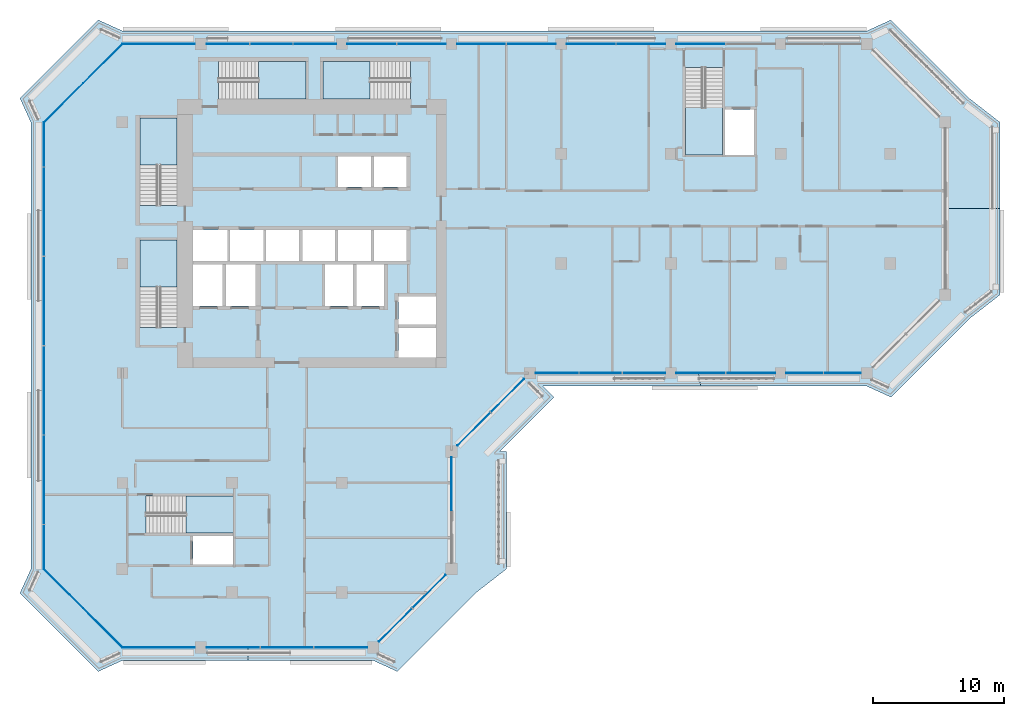
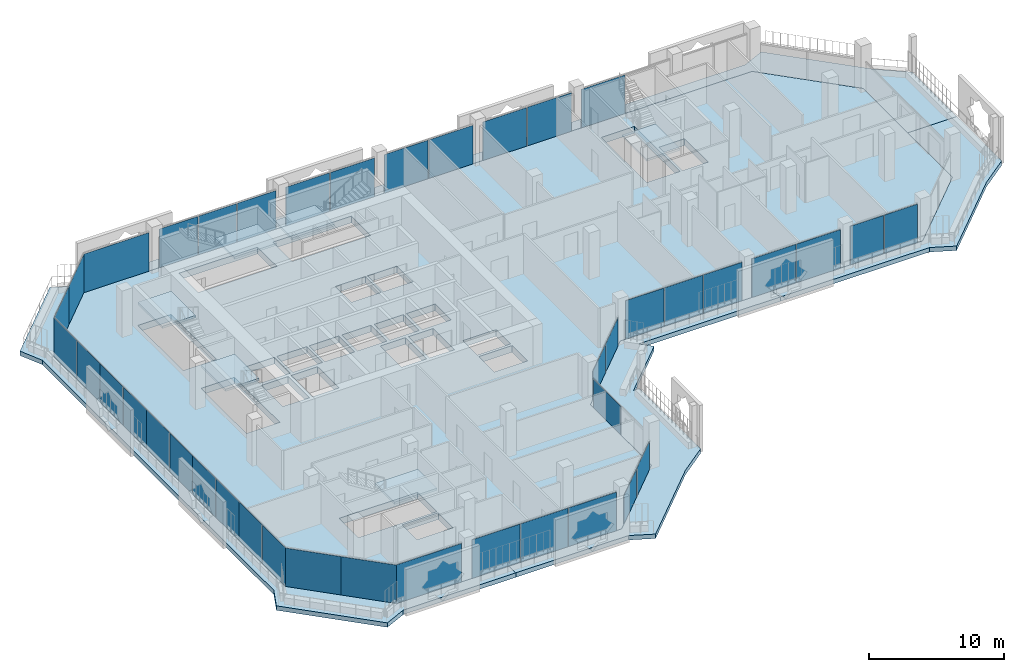
# One storey, part 8 of 22: 41 plates, 10 slabs, 15 elements without a shape of their own.
"""IFC4 building model written with IfcOpenShell, lengths in metres."""

from ifc_helpers import new_model, si_unit, direction, frame, origin, origin_2d, place, context, subcontext, project, spatial, polyline, rectangle, outline, extrude, material, layer, layer_set, type_object, element, aggregate, save


model = new_model("IFC4")

# Units and contexts
model_context = context("Model", 3, precision=1e-05, world=origin(), true_north=direction((0.0, 1.0)))
body_context = subcontext(model_context, "Body", "Model", "MODEL_VIEW")
ifc_project = project(units=[si_unit("LENGTHUNIT", "METRE"), si_unit("AREAUNIT", "SQUARE_METRE"), si_unit("VOLUMEUNIT", "CUBIC_METRE"), si_unit("PLANEANGLEUNIT", "RADIAN"), si_unit("MASSUNIT", "GRAM", prefix="KILO")], contexts=[model_context])

# Site, building, storey
site_placement = place(None, origin())
site = spatial("IfcSite", under=ifc_project, at=site_placement, CompositionType="ELEMENT")
building_placement = place(site_placement, origin())
building = spatial("IfcBuilding", under=site, at=building_placement, Name="Kawkab Arch Medical Tower", CompositionType="ELEMENT")
storey_placement = place(building_placement, frame((0.0, 0.0, 255.800048828125)))
storey = spatial("IfcBuildingStorey", under=building, at=storey_placement, Name="L59", CompositionType="ELEMENT", Elevation=255.800048828125)

# Curtain wall, plates
ifc_material_1 = material(Name="Bronze anodised aluminium curtain wall frame", Category="aluminium")
ifc_layer_1 = layer(ifc_material_1, 0.159912109375)
ifc_layer_set_1 = layer_set([ifc_layer_1], Name="Bronze anodised aluminium curtain wall frame")
curtain_wall_type_1 = type_object("IfcCurtainWallType", Name="CW1 ward curtain wall", PredefinedType="NOTDEFINED", material=ifc_layer_set_1)
placement_1 = place(storey_placement, origin())
curtain_wall_1 = element("IfcCurtainWall", 1, at=placement_1, inside=storey, type_object=curtain_wall_type_1, Name="CW1 Ward curtain wall R01", PredefinedType="NOTDEFINED")
ifc_material_2 = material(Name="Tinted insulating glass, bronze low-e coating", Category="glass")
ifc_layer_2 = layer(ifc_material_2, 0.031982421875)
ifc_layer_set_2 = layer_set([ifc_layer_2], Name="Tinted insulating glass, bronze low-e coating")
plate_type_1 = type_object("IfcPlateType", Name="CW1 glazing unit 32", PredefinedType="CURTAIN_PANEL", material=ifc_layer_set_2)
plate_1_placement = place(storey_placement, frame((-6.0, -7.695068359375, 0.0), z_axis=(0.0, 0.0, 1.0), x_axis=(0.0, -1.0, 0.0)))
plate_1 = element("IfcPlate", 2, at=plate_1_placement, type_object=plate_type_1, Name="CW1 glazing unit 1.1", PredefinedType="CURTAIN_PANEL", context=body_context, shape_type="SweptSolid", body=[
    extrude(rectangle(XDim=3.389892578125, YDim=0.031982421875, at=origin_2d()), origin(), (0.0, 0.0, 1.0), 3.47998046875),
])
plate_2_placement = place(storey_placement, frame((-6.0, -11.14501953125, 0.0), z_axis=(0.0, 0.0, 1.0), x_axis=(0.0, -1.0, 0.0)))
plate_2 = element("IfcPlate", 3, at=plate_2_placement, type_object=plate_type_1, Name="CW1 glazing unit 1.2", PredefinedType="CURTAIN_PANEL", context=body_context, shape_type="SweptSolid", body=[
    extrude(rectangle(XDim=3.389892578125, YDim=0.031982421875, at=origin_2d()), origin(), (0.0, 0.0, 1.0), 3.47998046875),
])
plate_3_placement = place(storey_placement, frame((-6.0, -14.534912109375, 0.0), z_axis=(0.0, 0.0, 1.0), x_axis=(0.0, -1.0, 0.0)))
plate_3 = element("IfcPlate", 4, at=plate_3_placement, type_object=plate_type_1, Name="CW1 glazing unit 2.1", PredefinedType="CURTAIN_PANEL", context=body_context, shape_type="SweptSolid", body=[
    extrude(rectangle(XDim=3.389892578125, YDim=0.031982421875, at=origin_2d()), origin(), (0.0, 0.0, 1.0), 3.47998046875),
])
plate_4_placement = place(storey_placement, frame((-6.0, -17.985107421875, 0.0), z_axis=(0.0, 0.0, 1.0), x_axis=(0.0, -1.0, 0.0)))
plate_4 = element("IfcPlate", 5, at=plate_4_placement, type_object=plate_type_1, Name="CW1 glazing unit 2.2", PredefinedType="CURTAIN_PANEL", context=body_context, shape_type="SweptSolid", body=[
    extrude(rectangle(XDim=3.389892578125, YDim=0.031982421875, at=origin_2d()), origin(), (0.0, 0.0, 1.0), 3.47998046875),
])
plate_5_placement = place(storey_placement, frame((-6.0, -21.375, 0.0), z_axis=(0.0, 0.0, 1.0), x_axis=(0.0, -1.0, 0.0)))
plate_5 = element("IfcPlate", 6, at=plate_5_placement, type_object=plate_type_1, Name="CW1 glazing unit 3.1", PredefinedType="CURTAIN_PANEL", context=body_context, shape_type="SweptSolid", body=[
    extrude(rectangle(XDim=3.389892578125, YDim=0.031982421875, at=origin_2d()), origin(), (0.0, 0.0, 1.0), 3.47998046875),
])
plate_6_placement = place(storey_placement, frame((-6.0, -24.824951171875, 0.0), z_axis=(0.0, 0.0, 1.0), x_axis=(0.0, -1.0, 0.0)))
plate_6 = element("IfcPlate", 7, at=plate_6_placement, type_object=plate_type_1, Name="CW1 glazing unit 3.2", PredefinedType="CURTAIN_PANEL", context=body_context, shape_type="SweptSolid", body=[
    extrude(rectangle(XDim=3.389892578125, YDim=0.031982421875, at=origin_2d()), origin(), (0.0, 0.0, 1.0), 3.47998046875),
])
plate_7_placement = place(storey_placement, frame((-6.0, -28.215087890625, 0.0), z_axis=(0.0, 0.0, 1.0), x_axis=(0.0, -1.0, 0.0)))
plate_7 = element("IfcPlate", 8, at=plate_7_placement, type_object=plate_type_1, Name="CW1 glazing unit 4.1", PredefinedType="CURTAIN_PANEL", context=body_context, shape_type="SweptSolid", body=[
    extrude(rectangle(XDim=3.389892578125, YDim=0.031982421875, at=origin_2d()), origin(), (0.0, 0.0, 1.0), 3.47998046875),
])
plate_8_placement = place(storey_placement, frame((-6.0, -31.6650390625, 0.0), z_axis=(0.0, 0.0, 1.0), x_axis=(0.0, -1.0, 0.0)))
plate_8 = element("IfcPlate", 9, at=plate_8_placement, type_object=plate_type_1, Name="CW1 glazing unit 4.2", PredefinedType="CURTAIN_PANEL", context=body_context, shape_type="SweptSolid", body=[
    extrude(rectangle(XDim=3.389892578125, YDim=0.031982421875, at=origin_2d()), origin(), (0.0, 0.0, 1.0), 3.47998046875),
])
plate_9_placement = place(storey_placement, frame((-6.0, -35.054931640625, 0.0), z_axis=(0.0, 0.0, 1.0), x_axis=(0.0, -1.0, 0.0)))
plate_9 = element("IfcPlate", 10, at=plate_9_placement, type_object=plate_type_1, Name="CW1 glazing unit 5.1", PredefinedType="CURTAIN_PANEL", context=body_context, shape_type="SweptSolid", body=[
    extrude(rectangle(XDim=3.389892578125, YDim=0.031982421875, at=origin_2d()), origin(), (0.0, 0.0, 1.0), 3.47998046875),
])
plate_10_placement = place(storey_placement, frame((-6.0, -38.5048828125, 0.0), z_axis=(0.0, 0.0, 1.0), x_axis=(0.0, -1.0, 0.0)))
plate_10 = element("IfcPlate", 11, at=plate_10_placement, type_object=plate_type_1, Name="CW1 glazing unit 5.2", PredefinedType="CURTAIN_PANEL", context=body_context, shape_type="SweptSolid", body=[
    extrude(rectangle(XDim=3.389892578125, YDim=0.031982421875, at=origin_2d()), origin(), (0.0, 0.0, 1.0), 3.47998046875),
])
aggregate(curtain_wall_1, [plate_1, plate_2, plate_3, plate_4, plate_5, plate_6, plate_7, plate_8, plate_9, plate_10])

curtain_wall_2 = element("IfcCurtainWall", 12, at=placement_1, inside=storey, type_object=curtain_wall_type_1, Name="CW1 Ward curtain wall R03", PredefinedType="NOTDEFINED")
plate_11_placement = place(storey_placement, frame((2.77490234375, -46.199951171875, 0.0), z_axis=(0.0, 0.0, 1.0), x_axis=(1.0, 0.0, 0.0)))
plate_11 = element("IfcPlate", 13, at=plate_11_placement, type_object=plate_type_1, Name="CW1 glazing unit 1.1", PredefinedType="CURTAIN_PANEL", context=body_context, shape_type="SweptSolid", body=[
    extrude(rectangle(XDim=5.550048828125, YDim=0.031982421875, at=origin_2d()), origin(), (0.0, 0.0, 1.0), 3.47998046875),
])
plate_12_placement = place(storey_placement, frame((8.485107421875, -46.199951171875, 0.0), z_axis=(0.0, 0.0, 1.0), x_axis=(1.0, 0.0, 0.0)))
plate_12 = element("IfcPlate", 14, at=plate_12_placement, type_object=plate_type_1, Name="CW1 glazing unit 2.1", PredefinedType="CURTAIN_PANEL", context=body_context, shape_type="SweptSolid", body=[
    extrude(rectangle(XDim=4.070068359375, YDim=0.031982421875, at=origin_2d()), origin(), (0.0, 0.0, 1.0), 3.47998046875),
])
plate_13_placement = place(storey_placement, frame((12.60009765625, -46.199951171875, 0.0), z_axis=(0.0, 0.0, 1.0), x_axis=(1.0, 0.0, 0.0)))
plate_13 = element("IfcPlate", 15, at=plate_13_placement, type_object=plate_type_1, Name="CW1 glazing unit 2.2", PredefinedType="CURTAIN_PANEL", context=body_context, shape_type="SweptSolid", body=[
    extrude(rectangle(XDim=4.0400390625, YDim=0.031982421875, at=origin_2d()), origin(), (0.0, 0.0, 1.0), 3.47998046875),
])
plate_14_placement = place(storey_placement, frame((16.715087890625, -46.199951171875, 0.0), z_axis=(0.0, 0.0, 1.0), x_axis=(1.0, 0.0, 0.0)))
plate_14 = element("IfcPlate", 16, at=plate_14_placement, type_object=plate_type_1, Name="CW1 glazing unit 2.3", PredefinedType="CURTAIN_PANEL", context=body_context, shape_type="SweptSolid", body=[
    extrude(rectangle(XDim=4.070068359375, YDim=0.031982421875, at=origin_2d()), origin(), (0.0, 0.0, 1.0), 3.47998046875),
])
aggregate(curtain_wall_2, [plate_11, plate_12, plate_13, plate_14])

# Curtain wall, plate
curtain_wall_3 = element("IfcCurtainWall", 17, at=placement_1, inside=storey, type_object=curtain_wall_type_1, Name="CW1 Ward curtain wall R05", PredefinedType="NOTDEFINED")
plate_15_placement = place(storey_placement, frame((25.199951171875, -33.675048828125, 0.0), z_axis=(0.0, 0.0, 1.0), x_axis=(0.0, 1.0, 0.0)))
plate_15 = element("IfcPlate", 18, at=plate_15_placement, type_object=plate_type_1, Name="CW1 glazing unit 1.2", PredefinedType="CURTAIN_PANEL", context=body_context, shape_type="SweptSolid", body=[
    extrude(rectangle(XDim=4.050048828125, YDim=0.031982421875, at=origin_2d()), origin(), (0.0, 0.0, 1.0), 2.580078125),
])
aggregate(curtain_wall_3, [plate_15])

# Curtain wall, plates
curtain_wall_4 = element("IfcCurtainWall", 19, at=placement_1, inside=storey, type_object=curtain_wall_type_1, Name="CW1 Ward curtain wall R07", PredefinedType="NOTDEFINED")
plate_16_placement = place(storey_placement, frame((33.2890625, -25.199951171875, 0.0), z_axis=(0.0, 0.0, 1.0), x_axis=(1.0, 0.0, 0.0)))
plate_16 = element("IfcPlate", 20, at=plate_16_placement, type_object=plate_type_1, Name="CW1 glazing unit 1.1", PredefinedType="CURTAIN_PANEL", context=body_context, shape_type="SweptSolid", body=[
    extrude(rectangle(XDim=3.2783203125, YDim=0.031982421875, at=origin_2d()), origin(), (0.0, 0.0, 1.0), 3.47998046875),
])
plate_17_placement = place(storey_placement, frame((36.612548828125, -25.199951171875, 0.0), z_axis=(0.0, 0.0, 1.0), x_axis=(1.0, 0.0, 0.0)))
plate_17 = element("IfcPlate", 21, at=plate_17_placement, type_object=plate_type_1, Name="CW1 glazing unit 1.2", PredefinedType="CURTAIN_PANEL", context=body_context, shape_type="SweptSolid", body=[
    extrude(rectangle(XDim=3.248291015625, YDim=0.031982421875, at=origin_2d()), origin(), (0.0, 0.0, 1.0), 3.47998046875),
])
plate_18_placement = place(storey_placement, frame((39.935791015625, -25.199951171875, 0.0), z_axis=(0.0, 0.0, 1.0), x_axis=(1.0, 0.0, 0.0)))
plate_18 = element("IfcPlate", 22, at=plate_18_placement, type_object=plate_type_1, Name="CW1 glazing unit 1.3", PredefinedType="CURTAIN_PANEL", context=body_context, shape_type="SweptSolid", body=[
    extrude(rectangle(XDim=3.2783203125, YDim=0.031982421875, at=origin_2d()), origin(), (0.0, 0.0, 1.0), 3.47998046875),
])
plate_19_placement = place(storey_placement, frame((44.297607421875, -25.199951171875, 0.0), z_axis=(0.0, 0.0, 1.0), x_axis=(1.0, 0.0, 0.0)))
plate_19 = element("IfcPlate", 23, at=plate_19_placement, type_object=plate_type_1, Name="CW1 glazing unit 2.1", PredefinedType="CURTAIN_PANEL", context=body_context, shape_type="SweptSolid", body=[
    extrude(rectangle(XDim=3.7451171875, YDim=0.031982421875, at=origin_2d()), origin(), (0.0, 0.0, 1.0), 3.47998046875),
])
plate_20_placement = place(storey_placement, frame((48.1025390625, -25.199951171875, 0.0), z_axis=(0.0, 0.0, 1.0), x_axis=(1.0, 0.0, 0.0)))
plate_20 = element("IfcPlate", 24, at=plate_20_placement, type_object=plate_type_1, Name="CW1 glazing unit 2.2", PredefinedType="CURTAIN_PANEL", context=body_context, shape_type="SweptSolid", body=[
    extrude(rectangle(XDim=3.7451171875, YDim=0.031982421875, at=origin_2d()), origin(), (0.0, 0.0, 1.0), 3.47998046875),
])
plate_21_placement = place(storey_placement, frame((52.2412109375, -25.199951171875, 0.0), z_axis=(0.0, 0.0, 1.0), x_axis=(1.0, 0.0, 0.0)))
plate_21 = element("IfcPlate", 25, at=plate_21_placement, type_object=plate_type_1, Name="CW1 glazing unit 3.1", PredefinedType="CURTAIN_PANEL", context=body_context, shape_type="SweptSolid", body=[
    extrude(rectangle(XDim=2.83251953125, YDim=0.031982421875, at=origin_2d()), origin(), (0.0, 0.0, 1.0), 3.47998046875),
])
plate_22_placement = place(storey_placement, frame((55.1337890625, -25.199951171875, 0.0), z_axis=(0.0, 0.0, 1.0), x_axis=(1.0, 0.0, 0.0)))
plate_22 = element("IfcPlate", 26, at=plate_22_placement, type_object=plate_type_1, Name="CW1 glazing unit 3.2", PredefinedType="CURTAIN_PANEL", context=body_context, shape_type="SweptSolid", body=[
    extrude(rectangle(XDim=2.83251953125, YDim=0.031982421875, at=origin_2d()), origin(), (0.0, 0.0, 1.0), 3.47998046875),
])
aggregate(curtain_wall_4, [plate_16, plate_17, plate_18, plate_19, plate_20, plate_21, plate_22])

curtain_wall_5 = element("IfcCurtainWall", 27, at=placement_1, inside=storey, type_object=curtain_wall_type_1, Name="CW1 Ward curtain wall R11", PredefinedType="NOTDEFINED")
plate_23_placement = place(storey_placement, frame((44.297607421875, 0.0, 0.0), z_axis=(0.0, 0.0, 1.0), x_axis=(-1.0, 0.0, 0.0)))
plate_23 = element("IfcPlate", 28, at=plate_23_placement, type_object=plate_type_1, Name="CW1 glazing unit 2.2", PredefinedType="CURTAIN_PANEL", context=body_context, shape_type="SweptSolid", body=[
    extrude(rectangle(XDim=3.7451171875, YDim=0.031982421875, at=origin_2d()), origin(), (0.0, 0.0, 1.0), 3.47998046875),
])
plate_24_placement = place(storey_placement, frame((39.702392578125, 0.0, 0.0), z_axis=(0.0, 0.0, 1.0), x_axis=(-1.0, 0.0, 0.0)))
plate_24 = element("IfcPlate", 29, at=plate_24_placement, type_object=plate_type_1, Name="CW1 glazing unit 3.1", PredefinedType="CURTAIN_PANEL", context=body_context, shape_type="SweptSolid", body=[
    extrude(rectangle(XDim=3.7451171875, YDim=0.031982421875, at=origin_2d()), origin(), (0.0, 0.0, 1.0), 3.47998046875),
])
plate_25_placement = place(storey_placement, frame((35.8974609375, 0.0, 0.0), z_axis=(0.0, 0.0, 1.0), x_axis=(-1.0, 0.0, 0.0)))
plate_25 = element("IfcPlate", 30, at=plate_25_placement, type_object=plate_type_1, Name="CW1 glazing unit 3.2", PredefinedType="CURTAIN_PANEL", context=body_context, shape_type="SweptSolid", body=[
    extrude(rectangle(XDim=3.7451171875, YDim=0.031982421875, at=origin_2d()), origin(), (0.0, 0.0, 1.0), 3.47998046875),
])
plate_26_placement = place(storey_placement, frame((31.302490234375, 0.0, 0.0), z_axis=(0.0, 0.0, 1.0), x_axis=(-1.0, 0.0, 0.0)))
plate_26 = element("IfcPlate", 31, at=plate_26_placement, type_object=plate_type_1, Name="CW1 glazing unit 4.1", PredefinedType="CURTAIN_PANEL", context=body_context, shape_type="SweptSolid", body=[
    extrude(rectangle(XDim=3.7451171875, YDim=0.031982421875, at=origin_2d()), origin(), (0.0, 0.0, 1.0), 3.47998046875),
])
plate_27_placement = place(storey_placement, frame((27.49755859375, 0.0, 0.0), z_axis=(0.0, 0.0, 1.0), x_axis=(-1.0, 0.0, 0.0)))
plate_27 = element("IfcPlate", 32, at=plate_27_placement, type_object=plate_type_1, Name="CW1 glazing unit 4.2", PredefinedType="CURTAIN_PANEL", context=body_context, shape_type="SweptSolid", body=[
    extrude(rectangle(XDim=3.7451171875, YDim=0.031982421875, at=origin_2d()), origin(), (0.0, 0.0, 1.0), 3.47998046875),
])
plate_28_placement = place(storey_placement, frame((22.902587890625, 0.0, 0.0), z_axis=(0.0, 0.0, 1.0), x_axis=(-1.0, 0.0, 0.0)))
plate_28 = element("IfcPlate", 33, at=plate_28_placement, type_object=plate_type_1, Name="CW1 glazing unit 5.1", PredefinedType="CURTAIN_PANEL", context=body_context, shape_type="SweptSolid", body=[
    extrude(rectangle(XDim=3.7451171875, YDim=0.031982421875, at=origin_2d()), origin(), (0.0, 0.0, 1.0), 3.47998046875),
])
plate_29_placement = place(storey_placement, frame((19.097412109375, 0.0, 0.0), z_axis=(0.0, 0.0, 1.0), x_axis=(-1.0, 0.0, 0.0)))
plate_29 = element("IfcPlate", 34, at=plate_29_placement, type_object=plate_type_1, Name="CW1 glazing unit 5.2", PredefinedType="CURTAIN_PANEL", context=body_context, shape_type="SweptSolid", body=[
    extrude(rectangle(XDim=3.7451171875, YDim=0.031982421875, at=origin_2d()), origin(), (0.0, 0.0, 1.0), 3.47998046875),
])
plate_30_placement = place(storey_placement, frame((14.73583984375, 0.0, 0.0), z_axis=(0.0, 0.0, 1.0), x_axis=(-1.0, 0.0, 0.0)))
plate_30 = element("IfcPlate", 35, at=plate_30_placement, type_object=plate_type_1, Name="CW1 glazing unit 6.1", PredefinedType="CURTAIN_PANEL", context=body_context, shape_type="SweptSolid", body=[
    extrude(rectangle(XDim=3.2783203125, YDim=0.031982421875, at=origin_2d()), origin(), (0.0, 0.0, 1.0), 3.47998046875),
])
plate_31_placement = place(storey_placement, frame((11.41259765625, 0.0, 0.0), z_axis=(0.0, 0.0, 1.0), x_axis=(-1.0, 0.0, 0.0)))
plate_31 = element("IfcPlate", 36, at=plate_31_placement, type_object=plate_type_1, Name="CW1 glazing unit 6.2", PredefinedType="CURTAIN_PANEL", context=body_context, shape_type="SweptSolid", body=[
    extrude(rectangle(XDim=3.248291015625, YDim=0.031982421875, at=origin_2d()), origin(), (0.0, 0.0, 1.0), 3.47998046875),
])
plate_32_placement = place(storey_placement, frame((8.089111328125, 0.0, 0.0), z_axis=(0.0, 0.0, 1.0), x_axis=(-1.0, 0.0, 0.0)))
plate_32 = element("IfcPlate", 37, at=plate_32_placement, type_object=plate_type_1, Name="CW1 glazing unit 6.3", PredefinedType="CURTAIN_PANEL", context=body_context, shape_type="SweptSolid", body=[
    extrude(rectangle(XDim=3.2783203125, YDim=0.031982421875, at=origin_2d()), origin(), (0.0, 0.0, 1.0), 3.47998046875),
])
plate_33_placement = place(storey_placement, frame((2.77490234375, 0.0, 0.0), z_axis=(0.0, 0.0, 1.0), x_axis=(-1.0, 0.0, 0.0)))
plate_33 = element("IfcPlate", 38, at=plate_33_placement, type_object=plate_type_1, Name="CW1 glazing unit 7.1", PredefinedType="CURTAIN_PANEL", context=body_context, shape_type="SweptSolid", body=[
    extrude(rectangle(XDim=5.550048828125, YDim=0.031982421875, at=origin_2d()), origin(), (0.0, 0.0, 1.0), 3.47998046875),
])
aggregate(curtain_wall_5, [plate_23, plate_24, plate_25, plate_26, plate_27, plate_28, plate_29, plate_30, plate_31, plate_32, plate_33])

ifc_material_3 = material(Name="Bronze anodised aluminium curtain wall frame", Category="aluminium")
ifc_layer_3 = layer(ifc_material_3, 0.159912109375)
ifc_layer_set_3 = layer_set([ifc_layer_3], Name="Bronze anodised aluminium curtain wall frame")
curtain_wall_type_2 = type_object("IfcCurtainWallType", Name="CW2 chamfer curtain wall", PredefinedType="NOTDEFINED", material=ifc_layer_set_3)
curtain_wall_6 = element("IfcCurtainWall", 39, at=placement_1, inside=storey, type_object=curtain_wall_type_2, Name="CW2 Chamfer curtain wall R02", PredefinedType="NOTDEFINED")
ifc_material_4 = material(Name="Tinted insulating glass, bronze low-e coating", Category="glass")
ifc_layer_4 = layer(ifc_material_4, 0.031982421875)
ifc_layer_set_4 = layer_set([ifc_layer_4], Name="Tinted insulating glass, bronze low-e coating")
plate_type_2 = type_object("IfcPlateType", Name="CW2 glazing unit 32", PredefinedType="CURTAIN_PANEL", material=ifc_layer_set_4)
plate_34_placement = place(storey_placement, frame((-4.5, -41.699951171875, 0.0), z_axis=(0.0, 0.0, 1.0), x_axis=(0.707106781187, -0.707106781187, 0.0)))
plate_34 = element("IfcPlate", 40, at=plate_34_placement, type_object=plate_type_2, Name="CW2 glazing unit 1.1", PredefinedType="CURTAIN_PANEL", context=body_context, shape_type="SweptSolid", body=[
    extrude(rectangle(XDim=4.24267578125, YDim=0.031982421875, at=origin_2d()), origin(), (0.0, 0.0, 1.0), 3.4599609375),
])
plate_35_placement = place(storey_placement, frame((-1.5, -44.699951171875, 0.0), z_axis=(0.0, 0.0, 1.0), x_axis=(0.707106781187, -0.707106781187, 0.0)))
plate_35 = element("IfcPlate", 41, at=plate_35_placement, type_object=plate_type_2, Name="CW2 glazing unit 2.1", PredefinedType="CURTAIN_PANEL", context=body_context, shape_type="SweptSolid", body=[
    extrude(rectangle(XDim=4.24267578125, YDim=0.031982421875, at=origin_2d()), origin(), (0.0, 0.0, 1.0), 3.4599609375),
])
aggregate(curtain_wall_6, [plate_34, plate_35])

curtain_wall_7 = element("IfcCurtainWall", 42, at=placement_1, inside=storey, type_object=curtain_wall_type_2, Name="CW2 Chamfer curtain wall R04", PredefinedType="NOTDEFINED")
plate_36_placement = place(storey_placement, frame((20.914306640625, -44.485595703125, 0.0), z_axis=(0.0, 0.0, 1.0), x_axis=(0.707106781187, 0.707106781187, 0.0)))
plate_36 = element("IfcPlate", 43, at=plate_36_placement, type_object=plate_type_2, Name="CW2 glazing unit 1.1", PredefinedType="CURTAIN_PANEL", context=body_context, shape_type="SweptSolid", body=[
    extrude(rectangle(XDim=3.576171875, YDim=0.031982421875, at=origin_2d()), origin(), (0.0, 0.0, 1.0), 2.56005859375),
])
plate_37_placement = place(storey_placement, frame((23.485595703125, -41.914306640625, 0.0), z_axis=(0.0, 0.0, 1.0), x_axis=(0.707106781187, 0.707106781187, 0.0)))
plate_37 = element("IfcPlate", 44, at=plate_37_placement, type_object=plate_type_2, Name="CW2 glazing unit 1.2", PredefinedType="CURTAIN_PANEL", context=body_context, shape_type="SweptSolid", body=[
    extrude(rectangle(XDim=3.576171875, YDim=0.031982421875, at=origin_2d()), origin(), (0.0, 0.0, 1.0), 2.56005859375),
])
aggregate(curtain_wall_7, [plate_36, plate_37])

curtain_wall_8 = element("IfcCurtainWall", 45, at=placement_1, inside=storey, type_object=curtain_wall_type_2, Name="CW2 Chamfer curtain wall R06", PredefinedType="NOTDEFINED")
plate_38_placement = place(storey_placement, frame((26.914306640625, -29.485595703125, 0.0), z_axis=(0.0, 0.0, 1.0), x_axis=(0.707106781187, 0.707106781187, 0.0)))
plate_38 = element("IfcPlate", 46, at=plate_38_placement, type_object=plate_type_2, Name="CW2 glazing unit 1.1", PredefinedType="CURTAIN_PANEL", context=body_context, shape_type="SweptSolid", body=[
    extrude(rectangle(XDim=3.576171875, YDim=0.031982421875, at=origin_2d()), origin(), (0.0, 0.0, 1.0), 2.56005859375),
])
plate_39_placement = place(storey_placement, frame((29.485595703125, -26.914306640625, 0.0), z_axis=(0.0, 0.0, 1.0), x_axis=(0.707106781187, 0.707106781187, 0.0)))
plate_39 = element("IfcPlate", 47, at=plate_39_placement, type_object=plate_type_2, Name="CW2 glazing unit 1.2", PredefinedType="CURTAIN_PANEL", context=body_context, shape_type="SweptSolid", body=[
    extrude(rectangle(XDim=3.576171875, YDim=0.031982421875, at=origin_2d()), origin(), (0.0, 0.0, 1.0), 2.56005859375),
])
aggregate(curtain_wall_8, [plate_38, plate_39])

curtain_wall_9 = element("IfcCurtainWall", 48, at=placement_1, inside=storey, type_object=curtain_wall_type_2, Name="CW2 Chamfer curtain wall R12", PredefinedType="NOTDEFINED")
plate_40_placement = place(storey_placement, frame((-1.5, -1.5, 0.0), z_axis=(0.0, 0.0, 1.0), x_axis=(-0.707106781187, -0.707106781187, 0.0)))
plate_40 = element("IfcPlate", 49, at=plate_40_placement, type_object=plate_type_2, Name="CW2 glazing unit 1.1", PredefinedType="CURTAIN_PANEL", context=body_context, shape_type="SweptSolid", body=[
    extrude(rectangle(XDim=4.24267578125, YDim=0.031982421875, at=origin_2d()), origin(), (0.0, 0.0, 1.0), 3.4599609375),
])
plate_41_placement = place(storey_placement, frame((-4.5, -4.5, 0.0), z_axis=(0.0, 0.0, 1.0), x_axis=(-0.707106781187, -0.707106781187, 0.0)))
plate_41 = element("IfcPlate", 50, at=plate_41_placement, type_object=plate_type_2, Name="CW2 glazing unit 2.1", PredefinedType="CURTAIN_PANEL", context=body_context, shape_type="SweptSolid", body=[
    extrude(rectangle(XDim=4.24267578125, YDim=0.031982421875, at=origin_2d()), origin(), (0.0, 0.0, 1.0), 3.4599609375),
])
aggregate(curtain_wall_9, [plate_40, plate_41])

# Stair, slab
ifc_material_5 = material(Name="Concrete C40/50", Category="concrete")
stair_type = type_object("IfcStairType", Name="Exit stair 1350", PredefinedType="HALF_TURN_STAIR", material=ifc_material_5)
stair_1 = element("IfcStair", 51, at=placement_1, inside=storey, type_object=stair_type, Name="L59 Exit stair ST1", PredefinedType="HALF_TURN_STAIR")
ifc_material_6 = material(Name="Concrete C40/50", Category="concrete")
ifc_layer_5 = layer(ifc_material_6, 0.199951171875)
ifc_layer_set_5 = layer_set([ifc_layer_5], Name="Concrete C40/50")
slab_type_1 = type_object("IfcSlabType", Name="Exit stair landing 200", PredefinedType="LANDING", material=ifc_layer_set_5)
placement_2 = place(storey_placement, frame((0.0, 0.0, 1.89990234375)))
slab_1 = element("IfcSlab", 52, at=placement_2, type_object=slab_type_1, Name="ST1 landing 1", PredefinedType="LANDING", context=body_context, shape_type="SweptSolid", body=[
    extrude(outline(polyline([(4.199951171875, -9.27001953125), (4.199951171875, -5.64990234375), (1.35009765625, -5.64990234375), (1.35009765625, -9.27001953125), (4.199951171875, -9.27001953125)])), origin(), (0.0, 0.0, 1.0), 0.199951171875),
])
aggregate(stair_1, [slab_1])

stair_2 = element("IfcStair", 53, at=placement_1, inside=storey, type_object=stair_type, Name="L59 Exit stair ST2", PredefinedType="HALF_TURN_STAIR")
slab_2 = element("IfcSlab", 54, at=placement_2, type_object=slab_type_1, Name="ST2 landing 1", PredefinedType="LANDING", context=body_context, shape_type="SweptSolid", body=[
    extrude(outline(polyline([(4.199951171875, -18.6201171875), (4.199951171875, -15.0), (1.35009765625, -15.0), (1.35009765625, -18.6201171875), (4.199951171875, -18.6201171875)])), origin(), (0.0, 0.0, 1.0), 0.199951171875),
])
aggregate(stair_2, [slab_2])

stair_3 = element("IfcStair", 55, at=placement_1, inside=storey, type_object=stair_type, Name="L59 Exit stair ST3", PredefinedType="HALF_TURN_STAIR")
slab_3 = element("IfcSlab", 56, at=placement_2, type_object=slab_type_1, Name="ST3 landing 1", PredefinedType="LANDING", context=body_context, shape_type="SweptSolid", body=[
    extrude(outline(polyline([(10.429931640625, -4.199951171875), (14.050048828125, -4.199951171875), (14.050048828125, -1.35009765625), (10.429931640625, -1.35009765625), (10.429931640625, -4.199951171875)])), origin(), (0.0, 0.0, 1.0), 0.199951171875),
])
aggregate(stair_3, [slab_3])

stair_4 = element("IfcStair", 57, at=placement_1, inside=storey, type_object=stair_type, Name="L59 Exit stair ST4", PredefinedType="HALF_TURN_STAIR")
slab_4 = element("IfcSlab", 58, at=placement_2, type_object=slab_type_1, Name="ST4 landing 1", PredefinedType="LANDING", context=body_context, shape_type="SweptSolid", body=[
    extrude(outline(polyline([(18.969970703125, -1.35009765625), (15.35009765625, -1.35009765625), (15.35009765625, -4.199951171875), (18.969970703125, -4.199951171875), (18.969970703125, -1.35009765625)])), origin(), (0.0, 0.0, 1.0), 0.199951171875),
])
aggregate(stair_4, [slab_4])

stair_5 = element("IfcStair", 59, at=placement_1, inside=storey, type_object=stair_type, Name="L59 Exit stair ST5", PredefinedType="HALF_TURN_STAIR")
slab_5 = element("IfcSlab", 60, at=placement_2, type_object=slab_type_1, Name="ST5 landing 1", PredefinedType="LANDING", context=body_context, shape_type="SweptSolid", body=[
    extrude(outline(polyline([(43.10009765625, -4.8798828125), (43.10009765625, -8.5), (45.949951171875, -8.5), (45.949951171875, -4.8798828125), (43.10009765625, -4.8798828125)])), origin(), (0.0, 0.0, 1.0), 0.199951171875),
])
aggregate(stair_5, [slab_5])

stair_6 = element("IfcStair", 61, at=placement_1, inside=storey, type_object=stair_type, Name="L59 Exit stair ST6", PredefinedType="HALF_TURN_STAIR")
slab_6 = element("IfcSlab", 62, at=placement_2, type_object=slab_type_1, Name="ST6 landing 1", PredefinedType="LANDING", context=body_context, shape_type="SweptSolid", body=[
    extrude(outline(polyline([(4.8798828125, -37.449951171875), (8.5, -37.449951171875), (8.5, -34.60009765625), (4.8798828125, -34.60009765625), (4.8798828125, -37.449951171875)])), origin(), (0.0, 0.0, 1.0), 0.199951171875),
])
aggregate(stair_6, [slab_6])

# Slabs
ifc_material_7 = material(Name="Concrete C45/55", Category="concrete")
ifc_layer_6 = layer(ifc_material_7, 0.60009765625)
ifc_layer_set_6 = layer_set([ifc_layer_6], Name="Concrete C45/55")
slab_type_2 = type_object("IfcSlabType", Name="Flat plate 600 C45/55", PredefinedType="FLOOR", material=ifc_layer_set_6)
slab_7_placement = place(storey_placement, frame((0.0, 0.0, -0.60009765625)))
element("IfcSlab", 63, at=slab_7_placement, inside=storey, type_object=slab_type_2, Name="Floor slab L59", PredefinedType="FLOOR", context=body_context, shape_type="SweptSolid", body=[
    extrude(outline(polyline([(0.0, 0.0), (57.0, 0.0), (63.0, -6.0), (63.0, -19.199951171875), (57.0, -25.199951171875), (31.199951171875, -25.199951171875), (25.199951171875, -31.199951171875), (25.199951171875, -40.199951171875), (19.199951171875, -46.199951171875), (0.0, -46.199951171875), (-6.0, -40.199951171875), (-6.0, -6.0), (0.0, 0.0)]), holes=[polyline([(5.425048828125, -37.64990234375), (5.425048828125, -39.85009765625), (8.5, -39.85009765625), (8.5, -37.64990234375), (5.425048828125, -37.64990234375)]), polyline([(8.5, -37.449951171875), (8.5, -34.60009765625), (1.800048828125, -34.60009765625), (1.800048828125, -37.449951171875), (8.5, -37.449951171875)]), polyline([(5.39990234375, -20.050048828125), (7.675048828125, -20.050048828125), (7.675048828125, -16.89990234375), (5.39990234375, -16.89990234375), (5.39990234375, -20.050048828125)]), polyline([(10.199951171875, -20.050048828125), (10.199951171875, -16.89990234375), (7.925048828125, -16.89990234375), (7.925048828125, -20.050048828125), (10.199951171875, -20.050048828125)]), polyline([(4.199951171875, -21.699951171875), (4.199951171875, -15.0), (1.35009765625, -15.0), (1.35009765625, -21.699951171875), (4.199951171875, -21.699951171875)]), polyline([(5.39990234375, -16.60009765625), (8.050048828125, -16.60009765625), (8.050048828125, -14.25), (5.39990234375, -14.25), (5.39990234375, -16.60009765625)]), polyline([(8.25, -16.60009765625), (10.800048828125, -16.60009765625), (10.800048828125, -14.25), (8.25, -14.25), (8.25, -16.60009765625)]), polyline([(11.0, -14.25), (11.0, -16.60009765625), (13.52490234375, -16.60009765625), (13.52490234375, -14.25), (11.0, -14.25)]), polyline([(13.77490234375, -16.60009765625), (16.27490234375, -16.60009765625), (16.27490234375, -14.25), (13.77490234375, -14.25), (13.77490234375, -16.60009765625)]), polyline([(4.199951171875, -12.35009765625), (4.199951171875, -5.64990234375), (1.35009765625, -5.64990234375), (1.35009765625, -12.35009765625), (4.199951171875, -12.35009765625)]), polyline([(7.35009765625, -4.199951171875), (14.050048828125, -4.199951171875), (14.050048828125, -1.35009765625), (7.35009765625, -1.35009765625), (7.35009765625, -4.199951171875)]), polyline([(24.0, -21.72509765625), (21.14990234375, -21.72509765625), (21.14990234375, -24.0), (24.0, -24.0), (24.0, -21.72509765625)]), polyline([(24.0, -19.35009765625), (21.14990234375, -19.35009765625), (21.14990234375, -21.47509765625), (24.0, -21.47509765625), (24.0, -19.35009765625)]), polyline([(17.675048828125, -16.89990234375), (15.52490234375, -16.89990234375), (15.52490234375, -20.050048828125), (17.675048828125, -20.050048828125), (17.675048828125, -16.89990234375)]), polyline([(20.050048828125, -20.050048828125), (20.050048828125, -16.89990234375), (17.925048828125, -16.89990234375), (17.925048828125, -20.050048828125), (20.050048828125, -20.050048828125)]), polyline([(19.02490234375, -16.60009765625), (19.02490234375, -14.25), (16.52490234375, -14.25), (16.52490234375, -16.60009765625), (19.02490234375, -16.60009765625)]), polyline([(21.75, -16.60009765625), (21.75, -14.25), (19.27490234375, -14.25), (19.27490234375, -16.60009765625), (21.75, -16.60009765625)]), polyline([(19.050048828125, -8.60009765625), (16.5, -8.60009765625), (16.5, -10.949951171875), (19.050048828125, -10.949951171875), (19.050048828125, -8.60009765625)]), polyline([(21.75, -10.949951171875), (21.75, -8.60009765625), (19.25, -8.60009765625), (19.25, -10.949951171875), (21.75, -10.949951171875)]), polyline([(46.14990234375, -8.5), (48.35009765625, -8.5), (48.35009765625, -5.02490234375), (46.14990234375, -5.02490234375), (46.14990234375, -8.5)]), polyline([(43.10009765625, -1.800048828125), (43.10009765625, -8.5), (45.949951171875, -8.5), (45.949951171875, -1.800048828125), (43.10009765625, -1.800048828125)]), polyline([(22.050048828125, -1.35009765625), (15.35009765625, -1.35009765625), (15.35009765625, -4.199951171875), (22.050048828125, -4.199951171875), (22.050048828125, -1.35009765625)])]), origin(), (0.0, 0.0, 1.0), 0.60009765625),
])
ifc_material_8 = material(Name="Concrete C40/50", Category="concrete")
ifc_layer_7 = layer(ifc_material_8, 0.39990234375)
ifc_layer_set_7 = layer_set([ifc_layer_7], Name="Concrete C40/50")
slab_type_3 = type_object("IfcSlabType", Name="Loggia slab 400", PredefinedType="FLOOR", material=ifc_layer_set_7)
placement_3 = place(storey_placement, frame((0.0, 0.0, -0.400146484375)))
element("IfcSlab", 64, at=placement_3, inside=storey, type_object=slab_type_3, Name="Loggia slab L59.1", PredefinedType="FLOOR", context=body_context, shape_type="SweptSolid", body=[
    extrude(outline(polyline([(9.60009765625, -46.200927734375), (19.199951171875, -46.200927734375), (19.199951171875, -46.199951171875), (25.199951171875, -40.199951171875), (25.199951171875, -31.199951171875), (31.199951171875, -25.199951171875), (44.10009765625, -25.199951171875), (44.2880859375, -26.199951171875), (32.198974609375, -26.199951171875), (33.037109375, -27.0380859375), (28.8759765625, -31.199951171875), (29.39990234375, -31.199951171875), (29.39990234375, -40.199951171875), (27.0380859375, -42.0380859375), (21.0380859375, -48.0380859375), (19.199951171875, -47.199951171875), (9.60009765625, -47.199951171875), (9.60009765625, -46.200927734375)])), origin(), (0.0, 0.0, 1.0), 0.400146484375),
])
element("IfcSlab", 65, at=placement_3, inside=storey, type_object=slab_type_3, Name="Loggia slab L59.2", PredefinedType="FLOOR", context=body_context, shape_type="SweptSolid", body=[
    extrude(outline(polyline([(64.837890625, -21.0380859375), (58.837890625, -27.0380859375), (57.0, -26.199951171875), (44.2890625, -26.199951171875), (44.10009765625, -25.199951171875), (57.0, -25.199951171875), (63.0, -19.199951171875), (63.0009765625, -19.199951171875), (63.0009765625, -12.60009765625), (67.199951171875, -12.60009765625), (67.199951171875, -19.199951171875), (64.837890625, -21.0380859375)])), origin(), (0.0, 0.0, 1.0), 0.400146484375),
])
element("IfcSlab", 66, at=placement_3, inside=storey, type_object=slab_type_3, Name="Loggia slab L59.4", PredefinedType="FLOOR", context=body_context, shape_type="SweptSolid", body=[
    extrude(outline(polyline([(-7.837890625, -42.037109375), (-7.0, -40.199951171875), (-7.0, -6.0), (-7.837890625, -4.1630859375), (-1.8369140625, 1.837890625), (0.0, 1.0), (57.0, 1.0), (58.8369140625, 1.837890625), (64.837890625, -4.162109375), (67.198974609375, -5.9990234375), (67.198974609375, -6.0009765625), (67.199951171875, -6.0009765625), (67.199951171875, -12.59912109375), (67.198974609375, -12.59912109375), (67.198974609375, -12.60009765625), (63.001953125, -12.60009765625), (63.001953125, -12.59912109375), (63.0009765625, -12.59912109375), (63.0009765625, -6.0), (57.0, 0.0009765625), (0.0, 0.0009765625), (-6.0, -6.0), (-6.0, -40.199951171875), (0.0, -46.200927734375), (9.59912109375, -46.200927734375), (9.59912109375, -46.201904296875), (9.60009765625, -46.201904296875), (9.60009765625, -47.198974609375), (9.59912109375, -47.198974609375), (9.59912109375, -47.199951171875), (0.0, -47.199951171875), (-1.8369140625, -48.0380859375), (-7.837890625, -42.037109375)])), origin(), (0.0, 0.0, 1.0), 0.400146484375),
])

save(model, "model.ifc")
